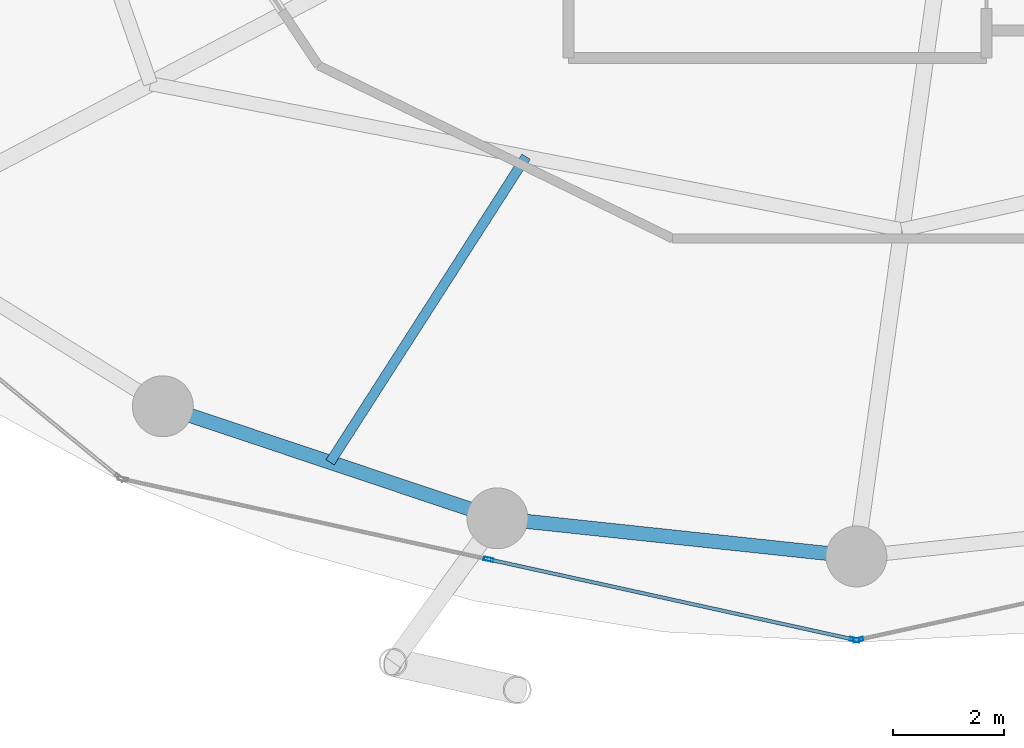
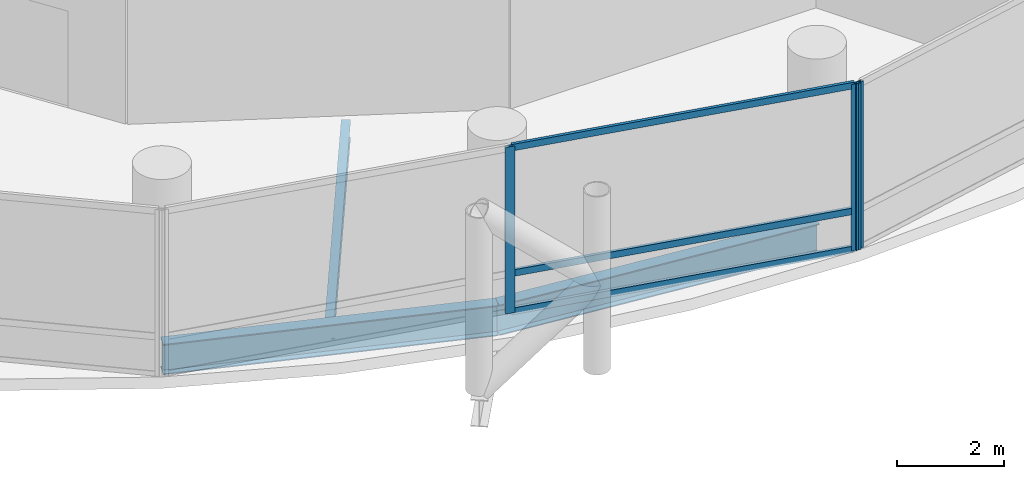
# One storey, part 4 of 24: 6 members, 3 beams, 2 elements without a shape of their own.
"""IFC4 building model written with IfcOpenShell, lengths in metres."""

from ifc_helpers import new_model, si_unit, direction, frame, origin, origin_2d, place, context, subcontext, project, spatial, hollow_rectangle, i_section, extrude, material, layer, layer_set, material_profile, profile_set, type_object, element, aggregate, save


model = new_model("IFC4")

# Units and contexts
model_context = context("Model", 3, precision=1e-05, world=origin(), true_north=direction((0.0, 1.0)))
body_context = subcontext(model_context, "Body", "Model", "MODEL_VIEW")
ifc_project = project(units=[si_unit("LENGTHUNIT", "METRE"), si_unit("AREAUNIT", "SQUARE_METRE"), si_unit("VOLUMEUNIT", "CUBIC_METRE"), si_unit("PLANEANGLEUNIT", "RADIAN"), si_unit("MASSUNIT", "GRAM", prefix="KILO")], contexts=[model_context])

# Site, building, storey
site_placement = place(None, origin())
site = spatial("IfcSite", under=ifc_project, at=site_placement, CompositionType="ELEMENT")
building_placement = place(site_placement, origin())
building = spatial("IfcBuilding", under=site, at=building_placement, Name="Nuhasar Tower", CompositionType="ELEMENT")
storey_placement = place(building_placement, frame((0.0, 0.0, 25.050048828125)))
storey = spatial("IfcBuildingStorey", under=building, at=storey_placement, Name="L05", CompositionType="ELEMENT", Elevation=25.050048828125)

# Beams
ifc_material_1 = material(Name="Steel S355", Category="steel")
ifc_material_profile_1 = material_profile(ifc_material_1, i_section(OverallWidth=0.177978515625, OverallDepth=0.406005859375, WebThickness=0.0078125, FlangeThickness=0.0126953125, at=origin_2d()), Name="W16X40")
ifc_profile_set_1 = profile_set([ifc_material_profile_1], Name="Steel S355")
beam_type_1 = type_object("IfcBeamType", Name="BM-JST-W16X40", PredefinedType="JOIST", material=ifc_profile_set_1)
beam_1_placement = place(storey_placement, frame((33.035888671875, 13.77001953125, -0.463134765625), z_axis=(-0.539944240715, -0.841700788237, 0.0), x_axis=(0.841700788237, -0.539944240715, 0.0)))
element("IfcBeam", 1, at=beam_1_placement, inside=storey, type_object=beam_type_1, Name="L05 Secondary Floor Joist 01", PredefinedType="JOIST", context=body_context, shape_type="SweptSolid", body=[
    extrude(i_section(OverallWidth=0.177978515625, OverallDepth=0.406005859375, WebThickness=0.0078125, FlangeThickness=0.0126953125, at=origin_2d()), origin(), (0.0, 0.0, 1.0), 6.555908203125),
])
ifc_material_profile_2 = material_profile(ifc_material_1, i_section(OverallWidth=0.256103515625, OverallDepth=0.693115234375, WebThickness=0.014404296875, FlangeThickness=0.023681640625, at=origin_2d()), Name="W27X114")
ifc_profile_set_2 = profile_set([ifc_material_profile_2], Name="Steel S355")
beam_type_2 = type_object("IfcBeamType", Name="BM-RING-W27X114", PredefinedType="SPANDREL", material=ifc_profile_set_2)
beam_2_placement = place(storey_placement, frame((26.47509765625, 9.262939453125, -0.60595703125), z_axis=(0.94826097201, -0.317491935271, 0.0), x_axis=(0.317491935271, 0.94826097201, 0.0)))
element("IfcBeam", 2, at=beam_2_placement, inside=storey, type_object=beam_type_2, Name="L05 Perimeter Ring Spandrel 17", PredefinedType="SPANDREL", context=body_context, shape_type="SweptSolid", body=[
    extrude(i_section(OverallWidth=0.256103515625, OverallDepth=0.693115234375, WebThickness=0.014404296875, FlangeThickness=0.023681640625, at=origin_2d()), origin(), (0.0, 0.0, 1.0), 6.37158203125),
])
beam_3_placement = place(storey_placement, frame((32.51708984375, 7.239990234375, -0.60595703125), z_axis=(0.994384554061, -0.105827022286, 0.0), x_axis=(0.105827022286, 0.994384554061, 0.0)))
element("IfcBeam", 3, at=beam_3_placement, inside=storey, type_object=beam_type_2, Name="L05 Perimeter Ring Spandrel 18", PredefinedType="SPANDREL", context=body_context, shape_type="SweptSolid", body=[
    extrude(i_section(OverallWidth=0.256103515625, OverallDepth=0.693115234375, WebThickness=0.014404296875, FlangeThickness=0.023681640625, at=origin_2d()), origin(), (0.0, 0.0, 1.0), 6.51953125),
])

# Curtain wall, members
ifc_material_2 = material(Name="Aluminium 6063-T6", Category="aluminium")
ifc_layer = layer(ifc_material_2, 0.199951171875)
ifc_layer_set = layer_set([ifc_layer], Name="Aluminium 6063-T6")
curtain_wall_type = type_object("IfcCurtainWallType", Name="CW-Z1-OFF", PredefinedType="NOTDEFINED", material=ifc_layer_set)
curtain_wall_1_placement = place(storey_placement, origin())
curtain_wall_1 = element("IfcCurtainWall", 4, at=curtain_wall_1_placement, inside=storey, type_object=curtain_wall_type, Name="L05 Unitised Curtain Wall 09", PredefinedType="NOTDEFINED")
ifc_material_profile_3 = material_profile(ifc_material_2, hollow_rectangle(XDim=0.06494140625, YDim=0.179931640625, WallThickness=0.0048828125, at=origin_2d()), Name="CWM-2")
ifc_profile_set_3 = profile_set([ifc_material_profile_3], Name="Aluminium 6063-T6")
member_type_1 = type_object("IfcMemberType", Name="CW-MUL-S2", PredefinedType="MULLION", material=ifc_profile_set_3)
member_1_placement = place(storey_placement, frame((32.360107421875, 6.49755859375, 0.0), z_axis=(0.0, 0.0, 1.0), x_axis=(0.214398737637, 0.976746221544, 0.0)))
member_1 = element("IfcMember", 5, at=member_1_placement, type_object=member_type_1, Name="CW-Z1 mullion 2", PredefinedType="MULLION", context=body_context, shape_type="SweptSolid", body=[
    extrude(hollow_rectangle(XDim=0.06494140625, YDim=0.179931640625, WallThickness=0.0048828125, at=origin_2d()), origin(), (0.0, 0.0, 1.0), 3.7900390625),
])
member_2_placement = place(storey_placement, frame((38.96826171875, 5.046875, 0.0), z_axis=(0.0, 0.0, 1.0), x_axis=(0.214398737637, 0.976746221544, 0.0)))
member_2 = element("IfcMember", 6, at=member_2_placement, type_object=member_type_1, Name="CW-Z1 mullion 3", PredefinedType="MULLION", context=body_context, shape_type="SweptSolid", body=[
    extrude(hollow_rectangle(XDim=0.06494140625, YDim=0.179931640625, WallThickness=0.0048828125, at=origin_2d()), origin(), (0.0, 0.0, 1.0), 3.7900390625),
])

# Curtain wall, member
curtain_wall_2_placement = place(storey_placement, origin())
curtain_wall_2 = element("IfcCurtainWall", 7, at=curtain_wall_2_placement, inside=storey, type_object=curtain_wall_type, Name="L05 Unitised Curtain Wall 10", PredefinedType="NOTDEFINED")
member_3_placement = place(storey_placement, frame((39.03173828125, 5.046875, 0.0), z_axis=(0.0, 0.0, 1.0), x_axis=(-0.214398737637, 0.976746221544, 0.0)))
member_3 = element("IfcMember", 8, at=member_3_placement, type_object=member_type_1, Name="CW-Z1 mullion 1", PredefinedType="MULLION", context=body_context, shape_type="SweptSolid", body=[
    extrude(hollow_rectangle(XDim=0.06494140625, YDim=0.179931640625, WallThickness=0.0048828125, at=origin_2d()), origin(), (0.0, 0.0, 1.0), 3.7900390625),
])
aggregate(curtain_wall_2, [member_3])

# Member
ifc_material_profile_4 = material_profile(ifc_material_2, hollow_rectangle(XDim=0.06494140625, YDim=0.14990234375, WallThickness=0.00439453125, at=origin_2d()), Name="CWT-2")
ifc_profile_set_4 = profile_set([ifc_material_profile_4], Name="Aluminium 6063-T6")
member_type_2 = type_object("IfcMemberType", Name="CW-TRN-S2", PredefinedType="USERDEFINED", material=ifc_profile_set_4)
member_4_placement = place(storey_placement, frame((32.391845703125, 6.490478515625, 0.032470703125), z_axis=(0.976747879138, -0.214391185916, 0.0), x_axis=(0.214391185916, 0.976747879138, 0.0)))
member_4 = element("IfcMember", 9, at=member_4_placement, type_object=member_type_2, Name="CW-Z1 transom 2.1", ObjectType="TRANSOM", PredefinedType="USERDEFINED", context=body_context, shape_type="SweptSolid", body=[
    extrude(hollow_rectangle(XDim=0.06494140625, YDim=0.14990234375, WallThickness=0.00439453125, at=origin_2d()), origin(), (0.0, 0.0, 1.0), 6.700439453125),
])

member_5_placement = place(storey_placement, frame((32.391845703125, 6.490478515625, 0.89990234375), z_axis=(0.976747879138, -0.214391185916, 0.0), x_axis=(0.214391185916, 0.976747879138, 0.0)))
member_5 = element("IfcMember", 10, at=member_5_placement, type_object=member_type_2, Name="CW-Z1 transom 2.2", ObjectType="TRANSOM", PredefinedType="USERDEFINED", context=body_context, shape_type="SweptSolid", body=[
    extrude(hollow_rectangle(XDim=0.06494140625, YDim=0.14990234375, WallThickness=0.00439453125, at=origin_2d()), origin(), (0.0, 0.0, 1.0), 6.700439453125),
])

member_6_placement = place(storey_placement, frame((32.391845703125, 6.490478515625, 3.757568359375), z_axis=(0.976747879138, -0.214391185916, 0.0), x_axis=(0.214391185916, 0.976747879138, 0.0)))
member_6 = element("IfcMember", 11, at=member_6_placement, type_object=member_type_2, Name="CW-Z1 transom 2.3", ObjectType="TRANSOM", PredefinedType="USERDEFINED", context=body_context, shape_type="SweptSolid", body=[
    extrude(hollow_rectangle(XDim=0.06494140625, YDim=0.14990234375, WallThickness=0.00439453125, at=origin_2d()), origin(), (0.0, 0.0, 1.0), 6.700439453125),
])

aggregate(curtain_wall_1, [member_1, member_2, member_4, member_5, member_6])

save(model, "model.ifc")
